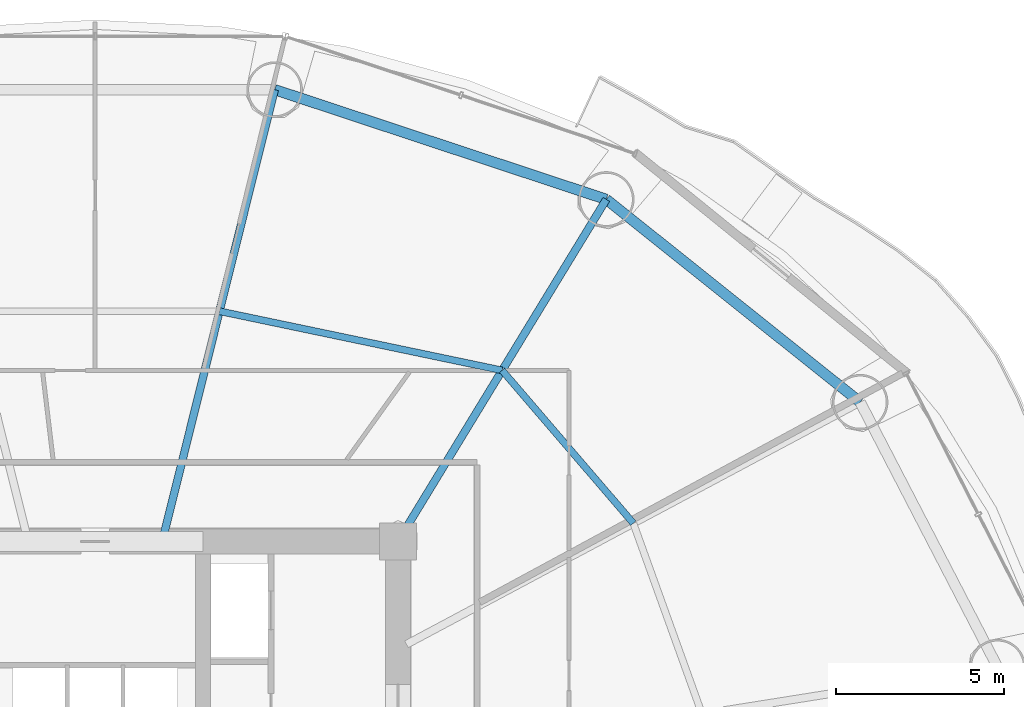
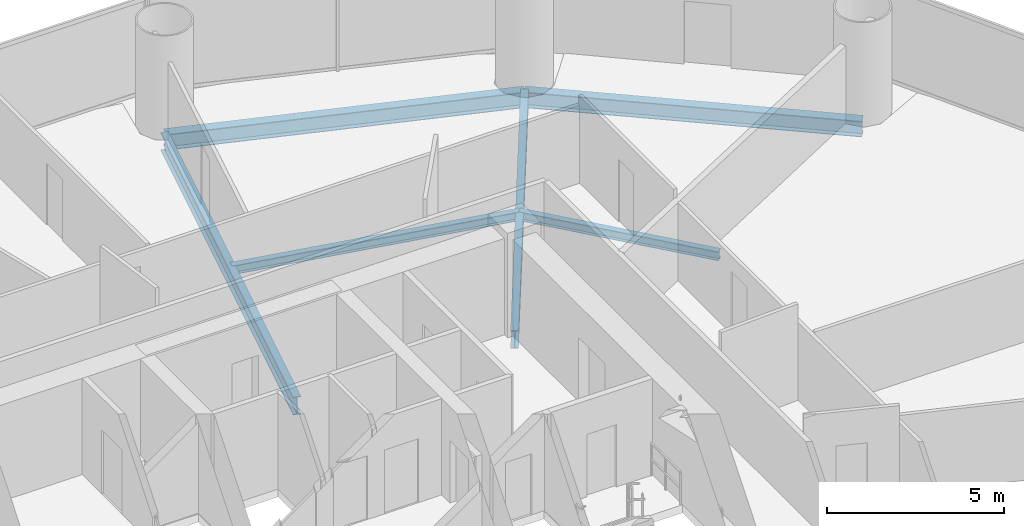
# One storey, part 19 of 30: 6 beams.
"""IFC4 building model written with IfcOpenShell, lengths in metres."""

from ifc_helpers import new_model, si_unit, direction, frame, origin, origin_2d, place, context, subcontext, project, spatial, i_section, extrude, material, material_profile, profile_set, type_object, element, save


model = new_model("IFC4")

# Units and contexts
model_context = context("Model", 3, precision=1e-05, world=origin(), true_north=direction((-0.2419218956, 0.970295726276)))
body_context = subcontext(model_context, "Body", "Model", "MODEL_VIEW")
ifc_project = project(units=[si_unit("LENGTHUNIT", "METRE"), si_unit("AREAUNIT", "SQUARE_METRE"), si_unit("VOLUMEUNIT", "CUBIC_METRE"), si_unit("PLANEANGLEUNIT", "RADIAN"), si_unit("MASSUNIT", "GRAM", prefix="KILO")], contexts=[model_context])

# Site, building, storey
site_placement = place(None, origin())
site = spatial("IfcSite", under=ifc_project, at=site_placement, CompositionType="ELEMENT")
building_placement = place(site_placement, origin())
building = spatial("IfcBuilding", under=site, at=building_placement, Name="Cobrevalo Terracotta Tower", CompositionType="ELEMENT")
storey_placement = place(building_placement, frame((0.0, 0.0, 56.39990234375)))
storey = spatial("IfcBuildingStorey", under=building, at=storey_placement, Name="L14", CompositionType="ELEMENT", Elevation=56.39990234375)

# Beams
ifc_material = material(Name="Steel S355", Category="steel")
ifc_material_profile_1 = material_profile(ifc_material, i_section(OverallWidth=0.22998046875, OverallDepth=0.616943359375, WebThickness=0.01318359375, FlangeThickness=0.022216796875, at=origin_2d()), Name="W 610x140")
ifc_profile_set_1 = profile_set([ifc_material_profile_1], Name="Steel S355")
beam_type_1 = type_object("IfcBeamType", Name="Structural Beam W 610x140 (Steel S355)", PredefinedType="BEAM", material=ifc_profile_set_1)
beam_1_placement = place(storey_placement, frame((53.19482421875, 44.967529296875, -0.58837890625), z_axis=(-0.520309892051, -0.853977526773, 0.0), x_axis=(0.853977526773, -0.520309892051, 0.0)))
element("IfcBeam", 1, at=beam_1_placement, inside=storey, type_object=beam_type_1, Name="L14 radial floor girder 03", PredefinedType="BEAM", context=body_context, shape_type="SweptSolid", body=[
    extrude(i_section(OverallWidth=0.22998046875, OverallDepth=0.616943359375, WebThickness=0.01318359375, FlangeThickness=0.022216796875, at=origin_2d()), origin(), (0.0, 0.0, 1.0), 11.906005859375),
])
beam_2_placement = place(storey_placement, frame((43.335693359375, 48.230224609375, -0.58837890625), z_axis=(-0.241596254786, -0.970376859614, 0.0), x_axis=(0.970376859614, -0.241596254786, 0.0)))
element("IfcBeam", 2, at=beam_2_placement, inside=storey, type_object=beam_type_1, Name="L14 radial floor girder 04", PredefinedType="BEAM", context=body_context, shape_type="SweptSolid", body=[
    extrude(i_section(OverallWidth=0.22998046875, OverallDepth=0.616943359375, WebThickness=0.01318359375, FlangeThickness=0.022216796875, at=origin_2d()), origin(), (0.0, 0.0, 1.0), 13.577392578125),
])
ifc_material_profile_2 = material_profile(ifc_material, i_section(OverallWidth=0.2041015625, OverallDepth=0.305908203125, WebThickness=0.008544921875, FlangeThickness=0.0146484375, at=origin_2d()), Name="W 310x67")
ifc_profile_set_2 = profile_set([ifc_material_profile_2], Name="Steel S355")
beam_type_2 = type_object("IfcBeamType", Name="Structural Joist W 310x67 (Steel S355)", PredefinedType="JOIST", material=ifc_profile_set_2)
beam_3_placement = place(storey_placement, frame((53.997802734375, 35.33984375, -0.432861328125), z_axis=(-0.651328404454, 0.758795960421, 0.0), x_axis=(-0.758795960421, -0.651328404454, 0.0)))
element("IfcBeam", 3, at=beam_3_placement, inside=storey, type_object=beam_type_2, Name="L14 circumferential secondary floor joist 02", PredefinedType="JOIST", context=body_context, shape_type="SweptSolid", body=[
    extrude(i_section(OverallWidth=0.2041015625, OverallDepth=0.305908203125, WebThickness=0.008544921875, FlangeThickness=0.0146484375, at=origin_2d()), origin(), (0.0, 0.0, 1.0), 5.98828125),
])
beam_4_placement = place(storey_placement, frame((50.097412109375, 39.8837890625, -0.432861328125), z_axis=(-0.978784523904, 0.204892302848, 0.0), x_axis=(-0.204892302848, -0.978784523904, 0.0)))
element("IfcBeam", 4, at=beam_4_placement, inside=storey, type_object=beam_type_2, Name="L14 circumferential secondary floor joist 03", PredefinedType="JOIST", context=body_context, shape_type="SweptSolid", body=[
    extrude(i_section(OverallWidth=0.2041015625, OverallDepth=0.305908203125, WebThickness=0.008544921875, FlangeThickness=0.0146484375, at=origin_2d()), origin(), (0.0, 0.0, 1.0), 8.583984375),
])
ifc_material_profile_3 = material_profile(ifc_material, i_section(OverallWidth=0.31201171875, OverallDepth=0.54296875, WebThickness=0.0126953125, FlangeThickness=0.020263671875, at=origin_2d()), Name="W 530x150")
ifc_profile_set_3 = profile_set([ifc_material_profile_3], Name="Steel S355")
beam_type_3 = type_object("IfcBeamType", Name="Structural Spandrel W 530x150 (Steel S355)", PredefinedType="SPANDREL", material=ifc_profile_set_3)
beam_5_placement = place(storey_placement, frame((60.74072265625, 38.939208984375, -0.551513671875), z_axis=(-0.781292806807, 0.62416468182, 0.0), x_axis=(-0.62416468182, -0.781292806807, 0.0)))
element("IfcBeam", 5, at=beam_5_placement, inside=storey, type_object=beam_type_3, Name="L14 perimeter ring spandrel 02", PredefinedType="SPANDREL", context=body_context, shape_type="SweptSolid", body=[
    extrude(i_section(OverallWidth=0.31201171875, OverallDepth=0.54296875, WebThickness=0.0126953125, FlangeThickness=0.020263671875, at=origin_2d()), origin(), (0.0, 0.0, 1.0), 9.658203125),
])
beam_6_placement = place(storey_placement, frame((53.19482421875, 44.967529296875, -0.551513671875), z_axis=(-0.949365190876, 0.314174687638, 0.0), x_axis=(-0.314174687638, -0.949365190876, 0.0)))
element("IfcBeam", 6, at=beam_6_placement, inside=storey, type_object=beam_type_3, Name="L14 perimeter ring spandrel 03", PredefinedType="SPANDREL", context=body_context, shape_type="SweptSolid", body=[
    extrude(i_section(OverallWidth=0.31201171875, OverallDepth=0.54296875, WebThickness=0.0126953125, FlangeThickness=0.020263671875, at=origin_2d()), origin(), (0.0, 0.0, 1.0), 10.385009765625),
])

save(model, "model.ifc")
